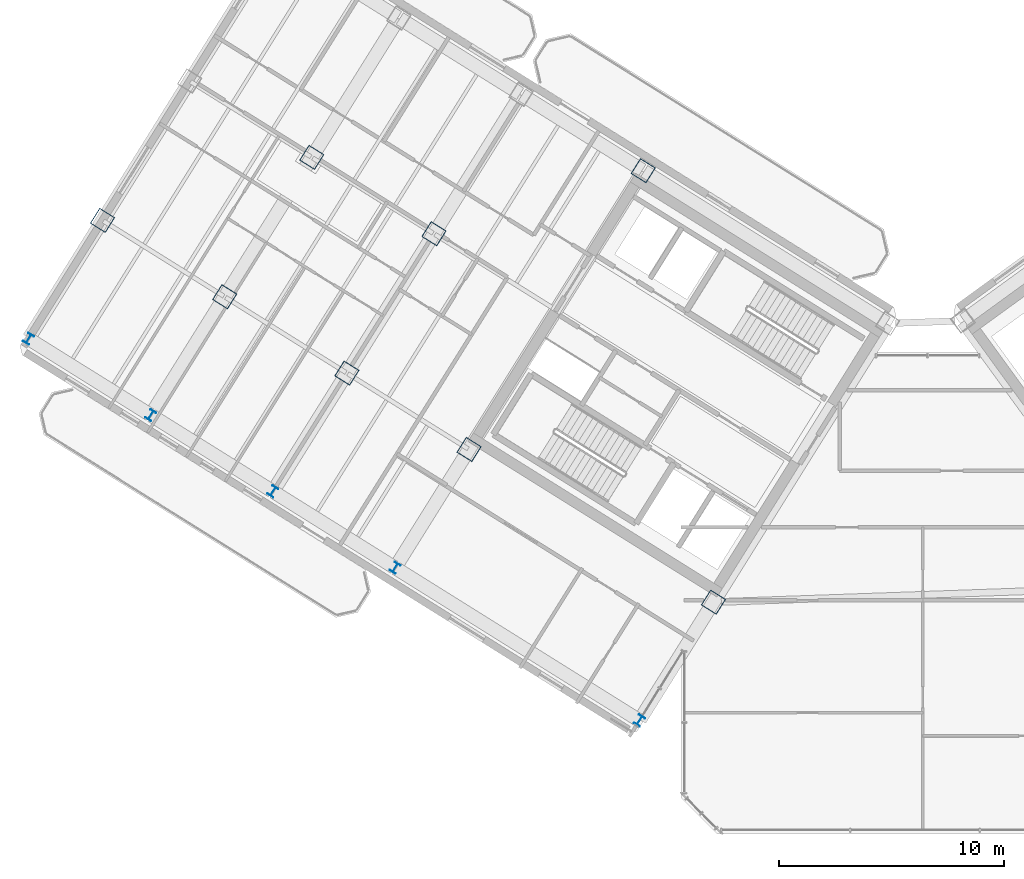
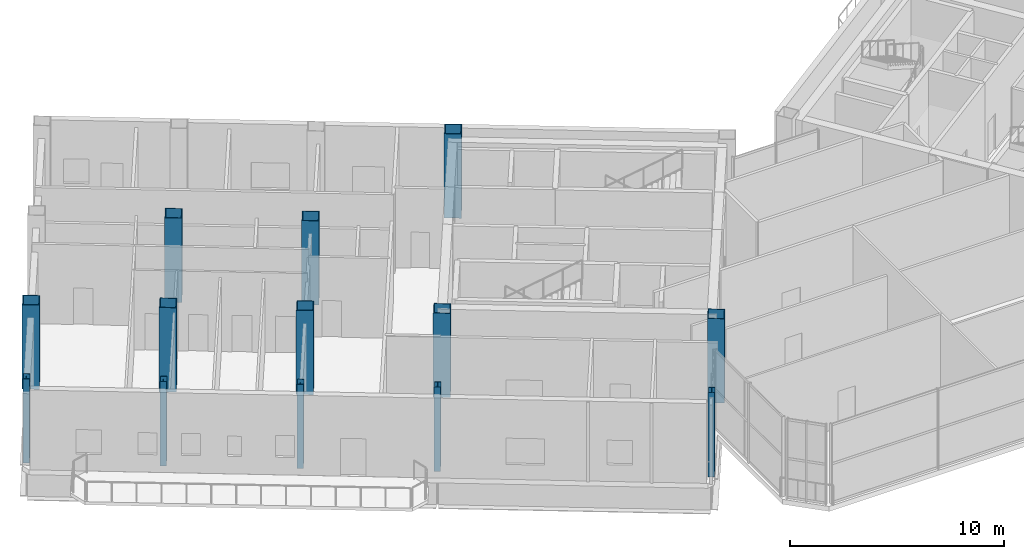
# One storey, part 1 of 26: 13 columns.
"""IFC4 building model written with IfcOpenShell, lengths in metres."""

import ifcopenshell
import ifcopenshell.guid

model = None  # the IFC model being written
_history = None  # IfcOwnerHistory: only IFC2X3 demands one
_inside = {}  # id of a spatial element -> (the spatial element, [elements in it])
_under = {}  # id of a project, library or spatial element -> (it, [spatial elements below it])
_declared = {}  # id of a project -> (the project, [libraries it declares])
_typed = {}  # id of a type object -> (the type object, [elements of that type])
_made_of = {}  # id of a material, layer set ... -> (it, [elements and type objects made of it])


def new_model(schema):
    """Start an empty IFC model of exactly this schema.

    Asked for "IFC4X3", IfcOpenShell would pick the latest addendum, in which some entities
    have other attributes; the version numbers below select the first issue.
    IFC2X3 requires an IfcOwnerHistory on every rooted entity: one is made here for all.
    """
    global model, _history
    if schema == "IFC4X3":
        model = ifcopenshell.file(schema_version=(4, 3, 0, 0))
    else:
        model = ifcopenshell.file(schema=schema)
    _inside.clear()
    _under.clear()
    _declared.clear()
    _typed.clear()
    _made_of.clear()
    _history = None
    if model.schema == "IFC2X3":
        org = make("IfcOrganization", Name="unknown")
        user = make(
            "IfcPersonAndOrganization",
            ThePerson=make("IfcPerson", FamilyName="unknown"),
            TheOrganization=org,
        )
        app = make(
            "IfcApplication",
            ApplicationDeveloper=org,
            Version="unknown",
            ApplicationFullName="unknown",
            ApplicationIdentifier="unknown",
        )
        _history = make(
            "IfcOwnerHistory",
            OwningUser=user,
            OwningApplication=app,
            ChangeAction="ADDED",
            CreationDate=0,
        )
    return model


def make(cls, **values):
    """One entity of the class cls with the attributes given. An attribute that is None is left unset."""
    return model.create_entity(
        cls, **{name: value for name, value in values.items() if value is not None}
    )


def rooted(cls, **values):
    """An entity with a GlobalId (a new one), such as an element, a storey or a relation."""
    return make(cls, GlobalId=ifcopenshell.guid.new(), OwnerHistory=_history, **values)


def si_unit(unit_type, name, prefix=None):
    """IfcSIUnit, for example si_unit("LENGTHUNIT", "METRE", prefix="MILLI")."""
    return make("IfcSIUnit", UnitType=unit_type, Prefix=prefix, Name=name)


def assignment(units):
    """IfcUnitAssignment: the units of a project."""
    return None if units is None else make("IfcUnitAssignment", Units=units)


def point(xyz):
    """IfcCartesianPoint."""
    return None if xyz is None else make("IfcCartesianPoint", Coordinates=xyz)


def direction(xyz):
    """IfcDirection."""
    return None if xyz is None else make("IfcDirection", DirectionRatios=xyz)


def frame(location, z_axis=None, x_axis=None):
    """IfcAxis2Placement3D, a coordinate frame: its origin and axes. An axis left out is left unset."""
    return make(
        "IfcAxis2Placement3D",
        Location=point(location),
        Axis=direction(z_axis),
        RefDirection=direction(x_axis),
    )


def frame_2d(location, x_axis=None):
    """IfcAxis2Placement2D, a coordinate frame in the plane: its origin and x axis."""
    return make(
        "IfcAxis2Placement2D", Location=point(location), RefDirection=direction(x_axis)
    )


def origin():
    """The frame at (0, 0, 0) with its axes left unset."""
    return frame((0.0, 0.0, 0.0))


def origin_2d():
    """The frame at (0, 0) in the plane with its x axis left unset."""
    return frame_2d((0.0, 0.0))


def place(relative_to, where):
    """IfcLocalPlacement: puts the frame where relative to a parent placement (None: the world)."""
    return make(
        "IfcLocalPlacement", PlacementRelTo=relative_to, RelativePlacement=where
    )


def context(
    kind, dimensions, precision=None, world=None, true_north=None, identifier=None
):
    """IfcGeometricRepresentationContext, for example the 3D "Model" context."""
    return make(
        "IfcGeometricRepresentationContext",
        ContextIdentifier=identifier,
        ContextType=kind,
        CoordinateSpaceDimension=dimensions,
        Precision=precision,
        WorldCoordinateSystem=world,
        TrueNorth=true_north,
    )


def subcontext(parent, identifier, kind, view, scale=None):
    """IfcGeometricRepresentationSubContext, for example "Body" below "Model"."""
    return make(
        "IfcGeometricRepresentationSubContext",
        ContextIdentifier=identifier,
        ContextType=kind,
        ParentContext=parent,
        TargetScale=scale,
        TargetView=view,
    )


def project(units=None, contexts=None):
    """IfcProject with its units and contexts."""
    return rooted(
        "IfcProject",
        Name="project",
        RepresentationContexts=contexts,
        UnitsInContext=assignment(units),
    )


def spatial(cls, under=None, at=None, **own):
    """A site, building, storey or space (cls), placed at a placement, below another one or the project."""
    s = rooted(cls, ObjectPlacement=at, **own)
    if under is not None:
        _under.setdefault(under.id(), (under, []))[1].append(s)
    return s


def profile(cls, at=None, kind="AREA", **sizes):
    """A parametric profile (cls). Its sizes go by their IFC names, for example OverallWidth=200.0."""
    return make(cls, ProfileType=kind, Position=at, **sizes)


def hollow_rectangle(**sizes):
    """IfcRectangleHollowProfileDef."""
    return profile("IfcRectangleHollowProfileDef", **sizes)


def i_section(**sizes):
    """IfcIShapeProfileDef."""
    return profile("IfcIShapeProfileDef", **sizes)


def extrude(swept, where, along, depth):
    """IfcExtrudedAreaSolid: the profile swept, set in the frame where, extruded along a direction by depth."""
    return make(
        "IfcExtrudedAreaSolid",
        SweptArea=swept,
        Position=where,
        ExtrudedDirection=direction(along),
        Depth=depth,
    )


def shape(context_of_items, identifier, shape_type, items):
    """IfcShapeRepresentation: the items that make up one representation, for example the "Body"."""
    return make(
        "IfcShapeRepresentation",
        ContextOfItems=context_of_items,
        RepresentationIdentifier=identifier,
        RepresentationType=shape_type,
        Items=items,
    )


def source(mapping_origin, context_of_items, identifier, shape_type, items):
    """IfcRepresentationMap: a shape defined once, which mapped items show again and again."""
    return make(
        "IfcRepresentationMap",
        MappingOrigin=mapping_origin,
        MappedRepresentation=shape(context_of_items, identifier, shape_type, items),
    )


def transform(
    local_origin,
    x_axis=None,
    y_axis=None,
    z_axis=None,
    scale=None,
    scale2=None,
    scale3=None,
    uniform=True,
):
    """IfcCartesianTransformationOperator3D, or its non-uniform kind. x_axis, y_axis, z_axis: its Axis1, 2, 3."""
    if uniform:
        return make(
            "IfcCartesianTransformationOperator3D",
            Axis1=direction(x_axis),
            Axis2=direction(y_axis),
            LocalOrigin=point(local_origin),
            Scale=scale,
            Axis3=direction(z_axis),
        )
    return make(
        "IfcCartesianTransformationOperator3DnonUniform",
        Axis1=direction(x_axis),
        Axis2=direction(y_axis),
        LocalOrigin=point(local_origin),
        Scale=scale,
        Axis3=direction(z_axis),
        Scale2=scale2,
        Scale3=scale3,
    )


def mapped(mapping_source, mapping_target):
    """IfcMappedItem: shows the shape of a source again, moved by a transform."""
    return make(
        "IfcMappedItem", MappingSource=mapping_source, MappingTarget=mapping_target
    )


def material(Name=None, Category=None):
    """IfcMaterial."""
    return make("IfcMaterial", Name=Name, Category=Category)


def material_profile(
    of_material, cross_section, Name=None, Category=None, Priority=None
):
    """IfcMaterialProfile: a cross section and its material."""
    return make(
        "IfcMaterialProfile",
        Name=Name,
        Material=of_material,
        Profile=cross_section,
        Priority=Priority,
        Category=Category,
    )


def profile_set(profiles, Name=None, composite=None):
    """IfcMaterialProfileSet."""
    return make(
        "IfcMaterialProfileSet",
        Name=Name,
        MaterialProfiles=profiles,
        CompositeProfile=composite,
    )


def made_of(thing, what):
    """Note that an element or type object is made of a material, layer set ...; save() writes the relation."""
    if what is not None:
        _made_of.setdefault(what.id(), (what, []))[1].append(thing)
    return thing


def type_object(cls, material=None, **own):
    """A type object (cls), such as IfcWallType, which elements share."""
    return made_of(rooted(cls, **own), material)


def element(
    cls,
    number,
    at=None,
    inside=None,
    cuts=None,
    type_object=None,
    material=None,
    context=None,
    identifier="Body",
    shape_type=None,
    held_by="IfcProductDefinitionShape",
    body=None,
    shapes=None,
    **own,
):
    """One element of the class cls, such as IfcWall. Its Tag is "e" and its number.

    at: its placement. inside: the storey or other place that contains it. cuts: it is an
    opening in that element (IfcRelVoidsElement). A single representation is given by context,
    identifier, shape_type and body (its items); several are given by shapes. held_by: the class
    of the entity that holds the representations. save() writes the other relations.
    """
    e = rooted(cls, Tag="e%d" % number, ObjectPlacement=at, **own)
    if body is not None:
        shapes = [shape(context, identifier, shape_type, body)]
    if shapes is not None:
        e.Representation = make(held_by, Representations=shapes)
    if inside is not None:
        _inside.setdefault(inside.id(), (inside, []))[1].append(e)
    if cuts is not None:
        rooted(
            "IfcRelVoidsElement", RelatingBuildingElement=cuts, RelatedOpeningElement=e
        )
    if type_object is not None:
        _typed.setdefault(type_object.id(), (type_object, []))[1].append(e)
    return made_of(e, material)


def aggregate(whole, parts):
    """IfcRelAggregates: a whole, such as a stair, and the parts it consists of."""
    return rooted("IfcRelAggregates", RelatingObject=whole, RelatedObjects=parts)


def save(model, path):
    """Write the relations noted so far, then the file.

    IfcRelAggregates (storeys below a building ...), IfcRelContainedInSpatialStructure (elements
    in a storey), IfcRelDefinesByType, IfcRelAssociatesMaterial and IfcRelDeclares: one each for
    every whole, place, type object, material and project.
    """
    for whole, parts in _under.values():
        aggregate(whole, parts)
    for where, things in _inside.values():
        rooted(
            "IfcRelContainedInSpatialStructure",
            RelatedElements=things,
            RelatingStructure=where,
        )
    for kind, things in _typed.values():
        rooted("IfcRelDefinesByType", RelatedObjects=things, RelatingType=kind)
    for what, things in _made_of.values():
        rooted("IfcRelAssociatesMaterial", RelatedObjects=things, RelatingMaterial=what)
    for by, libraries in _declared.values():
        rooted("IfcRelDeclares", RelatingContext=by, RelatedDefinitions=libraries)
    model.write(path)


model = new_model("IFC4")

# Units and contexts
model_context = context("Model", 3, precision=1e-05, world=origin(), true_north=direction((0.0, 1.0)))
body_context = subcontext(model_context, "Body", "Model", "MODEL_VIEW")
ifc_project = project(units=[si_unit("LENGTHUNIT", "METRE"), si_unit("AREAUNIT", "SQUARE_METRE"), si_unit("VOLUMEUNIT", "CUBIC_METRE"), si_unit("PLANEANGLEUNIT", "RADIAN"), si_unit("MASSUNIT", "GRAM", prefix="KILO")], contexts=[model_context])

# Site, building, storey
site_placement = place(None, origin())
site = spatial("IfcSite", under=ifc_project, at=site_placement, CompositionType="ELEMENT")
building_placement = place(site_placement, origin())
building = spatial("IfcBuilding", under=site, at=building_placement, Name="Tlacorven Tower", CompositionType="ELEMENT")
storey_placement = place(building_placement, frame((0.0, 0.0, 233.699951171875)))
storey = spatial("IfcBuildingStorey", under=building, at=storey_placement, Name="L59", CompositionType="ELEMENT", Elevation=233.699951171875)

# Columns
ifc_material_1 = material(Name="Steel S460M", Category="steel")
ifc_material_profile_1 = material_profile(ifc_material_1, hollow_rectangle(XDim=0.800048828125, YDim=0.800048828125, WallThickness=0.031982421875, at=origin_2d()), Name="BOX 800X800X32")
ifc_profile_set_1 = profile_set([ifc_material_profile_1], Name="Steel S460M")
column_type_1 = type_object("IfcColumnType", Name="COL-TWR-S3", PredefinedType="COLUMN", material=ifc_profile_set_1)
shared_shape_1 = source(origin(), body_context, "Body", "SweptSolid", [
    extrude(hollow_rectangle(XDim=0.800048828125, YDim=0.800048828125, WallThickness=0.031982421875, at=origin_2d()), origin(), (0.0, 0.0, 1.0), 4.800048828125),
])
for number, where, z_axis, x_axis, name in (
    (1, (33.046142578125, 12.0869140625, 0.0), (0.0, 0.0, 1.0), (-0.848048096156, 0.529919264233, 0.0), "L59 column COL-L59-W1-3"),
    (2, (29.927978515625, 31.25146484375, 0.0), (0.0, 0.0, 1.0), (-0.848048096156, 0.529919264233, 0.0), "L59 column COL-L59-W3-1"),
    (3, (22.191162109375, 18.869873046875, 0.0), (0.0, 0.0, 1.0), (-0.848048096156, 0.529919264233, 0.0), "L59 column COL-L59-W3-3"),
    (4, (20.632080078125, 28.4521484375, 0.0), (0.0, 0.0, 1.0), (-0.848048096156, 0.529919264233, 0.0), "L59 column COL-L59-W4-2"),
    (5, (16.763671875, 22.26123046875, 0.0), (0.0, 0.0, 1.0), (-0.848048096156, 0.529919264233, 0.0), "L59 column COL-L59-W4-3"),
    (6, (15.20458984375, 31.843505859375, 0.0), (0.0, 0.0, 1.0), (-0.848048096156, 0.529919264233, 0.0), "L59 column COL-L59-W5-2"),
    (7, (11.336181640625, 25.65283203125, 0.0), (0.0, 0.0, 1.0), (-0.848048096156, 0.529919264233, 0.0), "L59 column COL-L59-W5-3"),
    (8, (5.90869140625, 29.044189453125, 0.0), (0.0, 0.0, 1.0), (-0.848048096156, 0.529919264233, 0.0), "L59 column COL-L59-W6-3"),
):
    element("IfcColumn", number, at=place(storey_placement, frame(where, z_axis=z_axis, x_axis=x_axis)), inside=storey, type_object=column_type_1, Name=name, PredefinedType="COLUMN", context=body_context, shape_type="MappedRepresentation", body=[
        mapped(shared_shape_1, transform((0.0, 0.0, 0.0), scale=1.0)),
    ])
ifc_material_2 = material(Name="Steel S355J2", Category="steel")
ifc_material_profile_2 = material_profile(ifc_material_2, i_section(OverallWidth=0.300048828125, OverallDepth=0.449951171875, WebThickness=0.013916015625, FlangeThickness=0.02587890625, at=origin_2d()), Name="HEB 450")
ifc_profile_set_2 = profile_set([ifc_material_profile_2], Name="Steel S355J2")
column_type_2 = type_object("IfcColumnType", Name="COL-TWR-P3", PredefinedType="COLUMN", material=ifc_profile_set_2)
shared_shape_2 = source(origin(), body_context, "Body", "SweptSolid", [
    extrude(i_section(OverallWidth=0.300048828125, OverallDepth=0.449951171875, WebThickness=0.013916015625, FlangeThickness=0.02587890625, at=origin_2d()), origin(), (0.0, 0.0, 1.0), 4.800048828125),
])
for number, where, z_axis, x_axis, name in (
    (9, (29.7607421875, 6.8291015625, 0.0), (0.0, 0.0, 1.0), (-0.848048096156, 0.529919264233, 0.0), "L59 column COL-L59-W1-4"),
    (10, (18.905517578125, 13.612060546875, 0.0), (0.0, 0.0, 1.0), (-0.848048096156, 0.529919264233, 0.0), "L59 column COL-L59-W3-4"),
    (11, (13.47802734375, 17.00341796875, 0.0), (0.0, 0.0, 1.0), (-0.848048096156, 0.529919264233, 0.0), "L59 column COL-L59-W4-4"),
    (12, (8.050537109375, 20.39501953125, 0.0), (0.0, 0.0, 1.0), (-0.848048096156, 0.529919264233, 0.0), "L59 column COL-L59-W5-4"),
    (13, (2.623046875, 23.786376953125, 0.0), (0.0, 0.0, 1.0), (-0.848048096156, 0.529919264233, 0.0), "L59 column COL-L59-W6-4"),
):
    element("IfcColumn", number, at=place(storey_placement, frame(where, z_axis=z_axis, x_axis=x_axis)), inside=storey, type_object=column_type_2, Name=name, PredefinedType="COLUMN", context=body_context, shape_type="MappedRepresentation", body=[
        mapped(shared_shape_2, transform((0.0, 0.0, 0.0), scale=1.0)),
    ])

save(model, "model.ifc")
